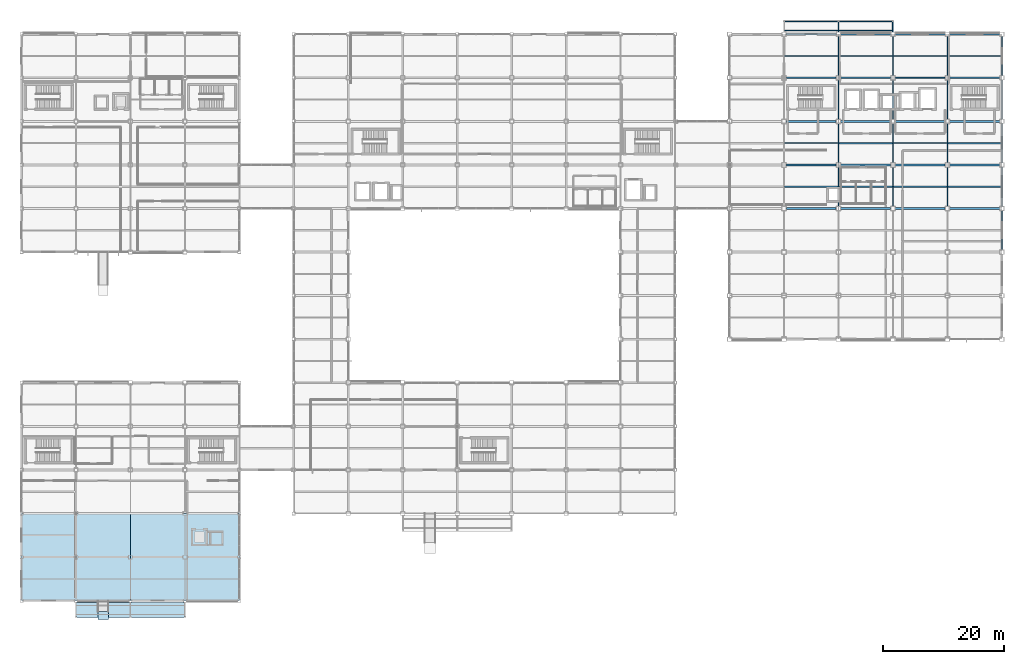
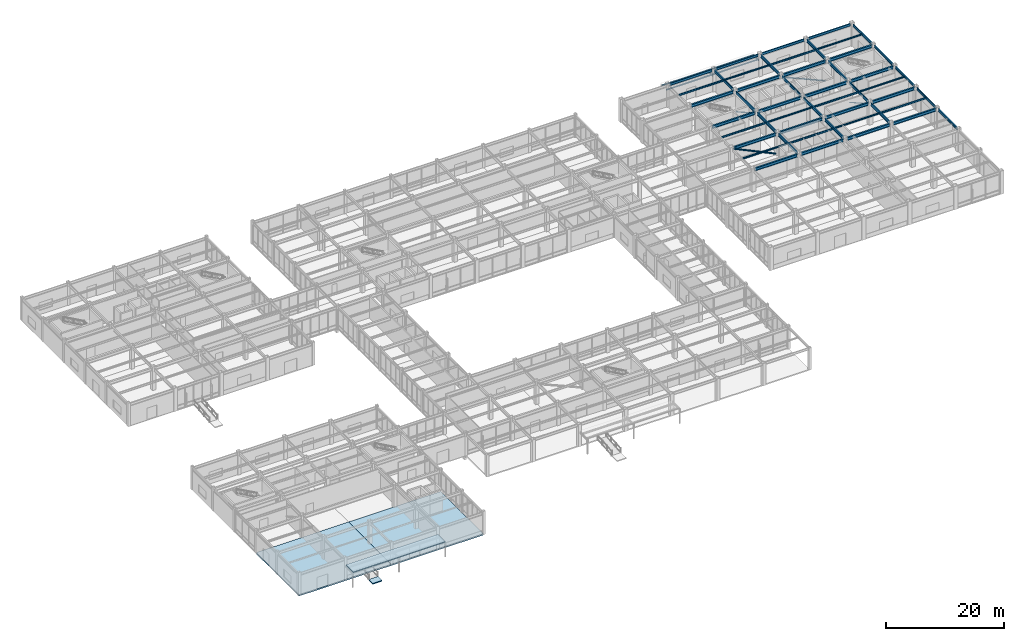
# One storey, part 78 of 112: 51 beams, 8 members, 4 slabs, 1 element without a shape of its own.
"""IFC4 building model written with IfcOpenShell, lengths in metres."""

from ifc_helpers import new_model, si_unit, direction, frame, origin, origin_2d, place, context, subcontext, project, spatial, polyline, hollow_circle, i_section, outline, extrude, material, layer, layer_set, material_profile, profile_set, type_object, element, aggregate, save


model = new_model("IFC4")

# Units and contexts
model_context = context("Model", 3, precision=1e-05, world=origin(), true_north=direction((0.0, 1.0)))
body_context = subcontext(model_context, "Body", "Model", "MODEL_VIEW")
ifc_project = project(units=[si_unit("LENGTHUNIT", "METRE"), si_unit("AREAUNIT", "SQUARE_METRE"), si_unit("VOLUMEUNIT", "CUBIC_METRE"), si_unit("PLANEANGLEUNIT", "RADIAN"), si_unit("MASSUNIT", "GRAM", prefix="KILO")], contexts=[model_context])

# Site, building, storey
site_placement = place(None, origin())
site = spatial("IfcSite", under=ifc_project, at=site_placement, CompositionType="ELEMENT")
building_placement = place(site_placement, origin())
building = spatial("IfcBuilding", under=site, at=building_placement, Name="Kazanami Central Library", CompositionType="ELEMENT")
storey_placement = place(building_placement, origin())
storey = spatial("IfcBuildingStorey", under=building, at=storey_placement, Name="L01", CompositionType="ELEMENT", Elevation=0.0)

# Beams
ifc_material_1 = material(Name="Steel SN400B (235 MPa)", Category="steel")
ifc_material_profile_1 = material_profile(ifc_material_1, i_section(OverallWidth=0.175048828125, OverallDepth=0.35009765625, WebThickness=0.007080078125, FlangeThickness=0.010986328125, at=origin_2d()), Name="H-350x175x7x11")
ifc_profile_set_1 = profile_set([ifc_material_profile_1], Name="Steel SN400B (235 MPa)")
beam_type_1 = type_object("IfcBeamType", Name="BM-B-S2", PredefinedType="JOIST", material=ifc_profile_set_1)
for number, where, z_axis, x_axis, name in (
    (1, (126.097900390625, 75.60009765625, 4.3798828125), (1.0, 0.0, 0.0), (0.0, 1.0, 0.0), "Composite Secondary Joist B-S2 L01 Bay 15/L.1"),
    (2, (126.097900390625, 90.0, 4.3798828125), (1.0, 0.0, 0.0), (0.0, 1.0, 0.0), "Composite Secondary Joist B-S2 L01 Bay 15/N.1"),
    (3, (135.097900390625, 68.39990234375, 4.3798828125), (1.0, 0.0, 0.0), (0.0, 1.0, 0.0), "Composite Secondary Joist B-S2 L01 Bay 16/K.1"),
    (4, (144.097900390625, 75.60009765625, 4.3798828125), (1.0, 0.0, 0.0), (0.0, 1.0, 0.0), "Composite Secondary Joist B-S2 L01 Bay 17/L.1"),
    (5, (144.097900390625, 90.0, 4.3798828125), (1.0, 0.0, 0.0), (0.0, 1.0, 0.0), "Composite Secondary Joist B-S2 L01 Bay 17/N.1"),
    (6, (153.097900390625, 68.39990234375, 4.3798828125), (1.0, 0.0, 0.0), (0.0, 1.0, 0.0), "Composite Secondary Joist B-S2 L01 Bay 18/K.1"),
):
    element("IfcBeam", number, at=place(storey_placement, frame(where, z_axis=z_axis, x_axis=x_axis)), inside=storey, type_object=beam_type_1, Name=name, PredefinedType="JOIST", context=body_context, shape_type="SweptSolid", body=[
        extrude(i_section(OverallWidth=0.175048828125, OverallDepth=0.35009765625, WebThickness=0.007080078125, FlangeThickness=0.010986328125, at=origin_2d()), origin(), (0.0, 0.0, 1.0), 8.80419921875),
    ])
ifc_material_profile_2 = material_profile(ifc_material_1, i_section(OverallWidth=0.199951171875, OverallDepth=0.2939453125, WebThickness=0.008056640625, FlangeThickness=0.011962890625, at=origin_2d()), Name="H-294x200x8x12")
ifc_profile_set_2 = profile_set([ifc_material_profile_2], Name="Steel SN400B (235 MPa)")
beam_type_2 = type_object("IfcBeamType", Name="BM-B-S5", PredefinedType="JOIST", material=ifc_profile_set_2)
for number, where, z_axis, x_axis, name in (
    (7, (126.097900390625, 68.39990234375, 4.407958984375), (1.0, 0.0, 0.0), (0.0, 1.0, 0.0), "Composite Secondary Joist B-S5 L01 Bay 15/K.1"),
    (8, (135.097900390625, 75.60009765625, 4.407958984375), (1.0, 0.0, 0.0), (0.0, 1.0, 0.0), "Composite Secondary Joist B-S5 L01 Bay 16/L.1"),
    (9, (135.097900390625, 90.0, 4.407958984375), (1.0, 0.0, 0.0), (0.0, 1.0, 0.0), "Composite Secondary Joist B-S5 L01 Bay 16/N.1"),
    (10, (144.097900390625, 68.39990234375, 4.407958984375), (1.0, 0.0, 0.0), (0.0, 1.0, 0.0), "Composite Secondary Joist B-S5 L01 Bay 17/K.1"),
    (11, (153.097900390625, 75.60009765625, 4.407958984375), (1.0, 0.0, 0.0), (0.0, 1.0, 0.0), "Composite Secondary Joist B-S5 L01 Bay 18/L.1"),
    (12, (153.097900390625, 90.0, 4.407958984375), (1.0, 0.0, 0.0), (0.0, 1.0, 0.0), "Composite Secondary Joist B-S5 L01 Bay 18/N.1"),
):
    element("IfcBeam", number, at=place(storey_placement, frame(where, z_axis=z_axis, x_axis=x_axis)), inside=storey, type_object=beam_type_2, Name=name, PredefinedType="JOIST", context=body_context, shape_type="SweptSolid", body=[
        extrude(i_section(OverallWidth=0.199951171875, OverallDepth=0.2939453125, WebThickness=0.008056640625, FlangeThickness=0.011962890625, at=origin_2d()), origin(), (0.0, 0.0, 1.0), 8.80419921875),
    ])
ifc_material_2 = material(Name="Steel SN490B (325 MPa)", Category="steel")
ifc_material_profile_3 = material_profile(ifc_material_2, i_section(OverallWidth=0.14990234375, OverallDepth=0.300048828125, WebThickness=0.006591796875, FlangeThickness=0.009033203125, at=origin_2d()), Name="H-300x150x6.5x9")
ifc_profile_set_3 = profile_set([ifc_material_profile_3], Name="Steel SN490B (325 MPa)")
beam_type_3 = type_object("IfcBeamType", Name="BM-CAN-300", PredefinedType="SPANDREL", material=ifc_profile_set_3)
for number, where, z_axis, x_axis, name in (
    (13, (135.0, 93.949951171875, 2.89990234375), (0.0, 1.0, 0.0), (-1.0, 0.0, 0.0), "Canopy Beam CAN-V2-NORTH X=135"),
    (14, (144.0, 93.949951171875, 2.89990234375), (0.0, 1.0, 0.0), (-1.0, 0.0, 0.0), "Canopy Beam CAN-V2-NORTH X=144"),
):
    element("IfcBeam", number, at=place(storey_placement, frame(where, z_axis=z_axis, x_axis=x_axis)), inside=storey, type_object=beam_type_3, Name=name, PredefinedType="SPANDREL", context=body_context, shape_type="SweptSolid", body=[
        extrude(i_section(OverallWidth=0.14990234375, OverallDepth=0.300048828125, WebThickness=0.006591796875, FlangeThickness=0.009033203125, at=origin_2d()), origin(), (0.0, 0.0, 1.0), 1.75),
    ])
ifc_material_profile_4 = material_profile(ifc_material_2, i_section(OverallWidth=0.300048828125, OverallDepth=0.60009765625, WebThickness=0.011962890625, FlangeThickness=0.02001953125, at=origin_2d()), Name="H-600x300x12x20")
ifc_profile_set_4 = profile_set([ifc_material_profile_4], Name="Steel SN490B (325 MPa)")
beam_type_4 = type_object("IfcBeamType", Name="BM-G-X1", PredefinedType="BEAM", material=ifc_profile_set_4)
for number, where, z_axis, x_axis, name in (
    (15, (126.373046875, 64.800048828125, 4.2548828125), (1.0, 0.0, 0.0), (0.0, 1.0, 0.0), "Girder G-X1 L01 K/15-16"),
    (16, (135.373046875, 64.800048828125, 4.2548828125), (1.0, 0.0, 0.0), (0.0, 1.0, 0.0), "Girder G-X1 L01 K/16-17"),
    (17, (144.373046875, 64.800048828125, 4.2548828125), (1.0, 0.0, 0.0), (0.0, 1.0, 0.0), "Girder G-X1 L01 K/17-18"),
):
    element("IfcBeam", number, at=place(storey_placement, frame(where, z_axis=z_axis, x_axis=x_axis)), inside=storey, type_object=beam_type_4, Name=name, PredefinedType="BEAM", context=body_context, shape_type="SweptSolid", body=[
        extrude(i_section(OverallWidth=0.300048828125, OverallDepth=0.60009765625, WebThickness=0.011962890625, FlangeThickness=0.02001953125, at=origin_2d()), origin(), (0.0, 0.0, 1.0), 8.25390625),
    ])
beam_1_placement = place(storey_placement, frame((153.373046875, 64.800048828125, 4.2548828125), z_axis=(1.0, 0.0, 0.0), x_axis=(0.0, 1.0, 0.0)))
element("IfcBeam", 18, at=beam_1_placement, inside=storey, type_object=beam_type_4, Name="Girder G-X1 L01 K/18-19", PredefinedType="BEAM", context=body_context, shape_type="SweptSolid", body=[
    extrude(i_section(OverallWidth=0.300048828125, OverallDepth=0.60009765625, WebThickness=0.011962890625, FlangeThickness=0.02001953125, at=origin_2d()), origin(), (0.0, 0.0, 1.0), 8.279052734375),
])
for number, where, z_axis, x_axis, name in (
    (19, (126.373046875, 72.0, 4.2548828125), (1.0, 0.0, 0.0), (0.0, 1.0, 0.0), "Girder G-X1 L01 L/15-16"),
    (20, (135.373046875, 72.0, 4.2548828125), (1.0, 0.0, 0.0), (0.0, 1.0, 0.0), "Girder G-X1 L01 L/16-17"),
    (21, (144.373046875, 72.0, 4.2548828125), (1.0, 0.0, 0.0), (0.0, 1.0, 0.0), "Girder G-X1 L01 L/17-18"),
):
    element("IfcBeam", number, at=place(storey_placement, frame(where, z_axis=z_axis, x_axis=x_axis)), inside=storey, type_object=beam_type_4, Name=name, PredefinedType="BEAM", context=body_context, shape_type="SweptSolid", body=[
        extrude(i_section(OverallWidth=0.300048828125, OverallDepth=0.60009765625, WebThickness=0.011962890625, FlangeThickness=0.02001953125, at=origin_2d()), origin(), (0.0, 0.0, 1.0), 8.25390625),
    ])
beam_2_placement = place(storey_placement, frame((153.373046875, 72.0, 4.2548828125), z_axis=(1.0, 0.0, 0.0), x_axis=(0.0, 1.0, 0.0)))
element("IfcBeam", 22, at=beam_2_placement, inside=storey, type_object=beam_type_4, Name="Girder G-X1 L01 L/18-19", PredefinedType="BEAM", context=body_context, shape_type="SweptSolid", body=[
    extrude(i_section(OverallWidth=0.300048828125, OverallDepth=0.60009765625, WebThickness=0.011962890625, FlangeThickness=0.02001953125, at=origin_2d()), origin(), (0.0, 0.0, 1.0), 8.279052734375),
])
for number, where, z_axis, x_axis, name in (
    (23, (126.373046875, 79.199951171875, 4.2548828125), (1.0, 0.0, 0.0), (0.0, 1.0, 0.0), "Girder G-X1 L01 M/15-16"),
    (24, (135.373046875, 79.199951171875, 4.2548828125), (1.0, 0.0, 0.0), (0.0, 1.0, 0.0), "Girder G-X1 L01 M/16-17"),
    (25, (144.373046875, 79.199951171875, 4.2548828125), (1.0, 0.0, 0.0), (0.0, 1.0, 0.0), "Girder G-X1 L01 M/17-18"),
):
    element("IfcBeam", number, at=place(storey_placement, frame(where, z_axis=z_axis, x_axis=x_axis)), inside=storey, type_object=beam_type_4, Name=name, PredefinedType="BEAM", context=body_context, shape_type="SweptSolid", body=[
        extrude(i_section(OverallWidth=0.300048828125, OverallDepth=0.60009765625, WebThickness=0.011962890625, FlangeThickness=0.02001953125, at=origin_2d()), origin(), (0.0, 0.0, 1.0), 8.25390625),
    ])
beam_3_placement = place(storey_placement, frame((153.373046875, 79.199951171875, 4.2548828125), z_axis=(1.0, 0.0, 0.0), x_axis=(0.0, 1.0, 0.0)))
element("IfcBeam", 26, at=beam_3_placement, inside=storey, type_object=beam_type_4, Name="Girder G-X1 L01 M/18-19", PredefinedType="BEAM", context=body_context, shape_type="SweptSolid", body=[
    extrude(i_section(OverallWidth=0.300048828125, OverallDepth=0.60009765625, WebThickness=0.011962890625, FlangeThickness=0.02001953125, at=origin_2d()), origin(), (0.0, 0.0, 1.0), 8.279052734375),
])
for number, where, z_axis, x_axis, name in (
    (27, (126.373046875, 86.39990234375, 4.2548828125), (1.0, 0.0, 0.0), (0.0, 1.0, 0.0), "Girder G-X1 L01 N/15-16"),
    (28, (135.373046875, 86.39990234375, 4.2548828125), (1.0, 0.0, 0.0), (0.0, 1.0, 0.0), "Girder G-X1 L01 N/16-17"),
    (29, (144.373046875, 86.39990234375, 4.2548828125), (1.0, 0.0, 0.0), (0.0, 1.0, 0.0), "Girder G-X1 L01 N/17-18"),
):
    element("IfcBeam", number, at=place(storey_placement, frame(where, z_axis=z_axis, x_axis=x_axis)), inside=storey, type_object=beam_type_4, Name=name, PredefinedType="BEAM", context=body_context, shape_type="SweptSolid", body=[
        extrude(i_section(OverallWidth=0.300048828125, OverallDepth=0.60009765625, WebThickness=0.011962890625, FlangeThickness=0.02001953125, at=origin_2d()), origin(), (0.0, 0.0, 1.0), 8.25390625),
    ])
beam_4_placement = place(storey_placement, frame((153.373046875, 86.39990234375, 4.2548828125), z_axis=(1.0, 0.0, 0.0), x_axis=(0.0, 1.0, 0.0)))
element("IfcBeam", 30, at=beam_4_placement, inside=storey, type_object=beam_type_4, Name="Girder G-X1 L01 N/18-19", PredefinedType="BEAM", context=body_context, shape_type="SweptSolid", body=[
    extrude(i_section(OverallWidth=0.300048828125, OverallDepth=0.60009765625, WebThickness=0.011962890625, FlangeThickness=0.02001953125, at=origin_2d()), origin(), (0.0, 0.0, 1.0), 8.279052734375),
])
ifc_material_profile_5 = material_profile(ifc_material_2, i_section(OverallWidth=0.199951171875, OverallDepth=0.60009765625, WebThickness=0.010986328125, FlangeThickness=0.01708984375, at=origin_2d()), Name="H-600x200x11x17")
ifc_profile_set_5 = profile_set([ifc_material_profile_5], Name="Steel SN490B (325 MPa)")
beam_type_5 = type_object("IfcBeamType", Name="BM-G-Y1", PredefinedType="BEAM", material=ifc_profile_set_5)
for number, where, z_axis, x_axis, name in (
    (31, (135.0, 65.173095703125, 4.2548828125), (0.0, 1.0, 0.0), (-1.0, 0.0, 0.0), "Girder G-Y1 L01 16/K-L"),
    (32, (135.0, 72.373046875, 4.2548828125), (0.0, 1.0, 0.0), (-1.0, 0.0, 0.0), "Girder G-Y1 L01 16/L-M"),
):
    element("IfcBeam", number, at=place(storey_placement, frame(where, z_axis=z_axis, x_axis=x_axis)), inside=storey, type_object=beam_type_5, Name=name, PredefinedType="BEAM", context=body_context, shape_type="SweptSolid", body=[
        extrude(i_section(OverallWidth=0.199951171875, OverallDepth=0.60009765625, WebThickness=0.010986328125, FlangeThickness=0.01708984375, at=origin_2d()), origin(), (0.0, 0.0, 1.0), 6.453857421875),
    ])
beam_5_placement = place(storey_placement, frame((135.0, 79.572998046875, 4.2548828125), z_axis=(0.0, 1.0, 0.0), x_axis=(-1.0, 0.0, 0.0)))
element("IfcBeam", 33, at=beam_5_placement, inside=storey, type_object=beam_type_5, Name="Girder G-Y1 L01 16/M-N", PredefinedType="BEAM", context=body_context, shape_type="SweptSolid", body=[
    extrude(i_section(OverallWidth=0.199951171875, OverallDepth=0.60009765625, WebThickness=0.010986328125, FlangeThickness=0.01708984375, at=origin_2d()), origin(), (0.0, 0.0, 1.0), 6.4541015625),
])
beam_6_placement = place(storey_placement, frame((135.0, 86.77294921875, 4.2548828125), z_axis=(0.0, 1.0, 0.0), x_axis=(-1.0, 0.0, 0.0)))
element("IfcBeam", 34, at=beam_6_placement, inside=storey, type_object=beam_type_5, Name="Girder G-Y1 L01 16/N-O", PredefinedType="BEAM", context=body_context, shape_type="SweptSolid", body=[
    extrude(i_section(OverallWidth=0.199951171875, OverallDepth=0.60009765625, WebThickness=0.010986328125, FlangeThickness=0.01708984375, at=origin_2d()), origin(), (0.0, 0.0, 1.0), 6.47900390625),
])
for number, where, z_axis, x_axis, name in (
    (35, (144.0, 65.173095703125, 4.2548828125), (0.0, 1.0, 0.0), (-1.0, 0.0, 0.0), "Girder G-Y1 L01 17/K-L"),
    (36, (144.0, 72.373046875, 4.2548828125), (0.0, 1.0, 0.0), (-1.0, 0.0, 0.0), "Girder G-Y1 L01 17/L-M"),
):
    element("IfcBeam", number, at=place(storey_placement, frame(where, z_axis=z_axis, x_axis=x_axis)), inside=storey, type_object=beam_type_5, Name=name, PredefinedType="BEAM", context=body_context, shape_type="SweptSolid", body=[
        extrude(i_section(OverallWidth=0.199951171875, OverallDepth=0.60009765625, WebThickness=0.010986328125, FlangeThickness=0.01708984375, at=origin_2d()), origin(), (0.0, 0.0, 1.0), 6.453857421875),
    ])
beam_7_placement = place(storey_placement, frame((144.0, 79.572998046875, 4.2548828125), z_axis=(0.0, 1.0, 0.0), x_axis=(-1.0, 0.0, 0.0)))
element("IfcBeam", 37, at=beam_7_placement, inside=storey, type_object=beam_type_5, Name="Girder G-Y1 L01 17/M-N", PredefinedType="BEAM", context=body_context, shape_type="SweptSolid", body=[
    extrude(i_section(OverallWidth=0.199951171875, OverallDepth=0.60009765625, WebThickness=0.010986328125, FlangeThickness=0.01708984375, at=origin_2d()), origin(), (0.0, 0.0, 1.0), 6.4541015625),
])
beam_8_placement = place(storey_placement, frame((144.0, 86.77294921875, 4.2548828125), z_axis=(0.0, 1.0, 0.0), x_axis=(-1.0, 0.0, 0.0)))
element("IfcBeam", 38, at=beam_8_placement, inside=storey, type_object=beam_type_5, Name="Girder G-Y1 L01 17/N-O", PredefinedType="BEAM", context=body_context, shape_type="SweptSolid", body=[
    extrude(i_section(OverallWidth=0.199951171875, OverallDepth=0.60009765625, WebThickness=0.010986328125, FlangeThickness=0.01708984375, at=origin_2d()), origin(), (0.0, 0.0, 1.0), 6.47900390625),
])
for number, where, z_axis, x_axis, name in (
    (39, (153.0, 65.173095703125, 4.2548828125), (0.0, 1.0, 0.0), (-1.0, 0.0, 0.0), "Girder G-Y1 L01 18/K-L"),
    (40, (153.0, 72.373046875, 4.2548828125), (0.0, 1.0, 0.0), (-1.0, 0.0, 0.0), "Girder G-Y1 L01 18/L-M"),
):
    element("IfcBeam", number, at=place(storey_placement, frame(where, z_axis=z_axis, x_axis=x_axis)), inside=storey, type_object=beam_type_5, Name=name, PredefinedType="BEAM", context=body_context, shape_type="SweptSolid", body=[
        extrude(i_section(OverallWidth=0.199951171875, OverallDepth=0.60009765625, WebThickness=0.010986328125, FlangeThickness=0.01708984375, at=origin_2d()), origin(), (0.0, 0.0, 1.0), 6.453857421875),
    ])
beam_9_placement = place(storey_placement, frame((153.0, 79.572998046875, 4.2548828125), z_axis=(0.0, 1.0, 0.0), x_axis=(-1.0, 0.0, 0.0)))
element("IfcBeam", 41, at=beam_9_placement, inside=storey, type_object=beam_type_5, Name="Girder G-Y1 L01 18/M-N", PredefinedType="BEAM", context=body_context, shape_type="SweptSolid", body=[
    extrude(i_section(OverallWidth=0.199951171875, OverallDepth=0.60009765625, WebThickness=0.010986328125, FlangeThickness=0.01708984375, at=origin_2d()), origin(), (0.0, 0.0, 1.0), 6.4541015625),
])
beam_10_placement = place(storey_placement, frame((153.0, 86.77294921875, 4.2548828125), z_axis=(0.0, 1.0, 0.0), x_axis=(-1.0, 0.0, 0.0)))
element("IfcBeam", 42, at=beam_10_placement, inside=storey, type_object=beam_type_5, Name="Girder G-Y1 L01 18/N-O", PredefinedType="BEAM", context=body_context, shape_type="SweptSolid", body=[
    extrude(i_section(OverallWidth=0.199951171875, OverallDepth=0.60009765625, WebThickness=0.010986328125, FlangeThickness=0.01708984375, at=origin_2d()), origin(), (0.0, 0.0, 1.0), 6.47900390625),
])
ifc_material_profile_6 = material_profile(ifc_material_2, i_section(OverallWidth=0.199951171875, OverallDepth=0.5, WebThickness=0.010009765625, FlangeThickness=0.01611328125, at=origin_2d()), Name="H-500x200x10x16")
ifc_profile_set_6 = profile_set([ifc_material_profile_6], Name="Steel SN490B (325 MPa)")
beam_type_6 = type_object("IfcBeamType", Name="BM-SP-1", PredefinedType="SPANDREL", material=ifc_profile_set_6)
for number, where, z_axis, x_axis, name in (
    (43, (126.347900390625, 93.60009765625, 4.304931640625), (1.0, 0.0, 0.0), (0.0, 1.0, 0.0), "Girder SP-1 L01 O/15-16"),
    (44, (135.347900390625, 93.60009765625, 4.304931640625), (1.0, 0.0, 0.0), (0.0, 1.0, 0.0), "Girder SP-1 L01 O/16-17"),
    (45, (144.347900390625, 93.60009765625, 4.304931640625), (1.0, 0.0, 0.0), (0.0, 1.0, 0.0), "Girder SP-1 L01 O/17-18"),
    (46, (153.347900390625, 93.60009765625, 4.304931640625), (1.0, 0.0, 0.0), (0.0, 1.0, 0.0), "Girder SP-1 L01 O/18-19"),
):
    element("IfcBeam", number, at=place(storey_placement, frame(where, z_axis=z_axis, x_axis=x_axis)), inside=storey, type_object=beam_type_6, Name=name, PredefinedType="SPANDREL", context=body_context, shape_type="SweptSolid", body=[
        extrude(i_section(OverallWidth=0.199951171875, OverallDepth=0.5, WebThickness=0.010009765625, FlangeThickness=0.01611328125, at=origin_2d()), origin(), (0.0, 0.0, 1.0), 8.30419921875),
    ])
beam_11_placement = place(storey_placement, frame((162.0, 57.947998046875, 4.304931640625), z_axis=(0.0, 1.0, 0.0), x_axis=(-1.0, 0.0, 0.0)))
element("IfcBeam", 47, at=beam_11_placement, inside=storey, type_object=beam_type_6, Name="Girder SP-1 L01 19/J-K", PredefinedType="SPANDREL", context=body_context, shape_type="SweptSolid", body=[
    extrude(i_section(OverallWidth=0.199951171875, OverallDepth=0.5, WebThickness=0.010009765625, FlangeThickness=0.01611328125, at=origin_2d()), origin(), (0.0, 0.0, 1.0), 6.50390625),
])
for number, where, z_axis, x_axis, name in (
    (48, (162.0, 65.14794921875, 4.304931640625), (0.0, 1.0, 0.0), (-1.0, 0.0, 0.0), "Girder SP-1 L01 19/K-L"),
    (49, (162.0, 72.347900390625, 4.304931640625), (0.0, 1.0, 0.0), (-1.0, 0.0, 0.0), "Girder SP-1 L01 19/L-M"),
):
    element("IfcBeam", number, at=place(storey_placement, frame(where, z_axis=z_axis, x_axis=x_axis)), inside=storey, type_object=beam_type_6, Name=name, PredefinedType="SPANDREL", context=body_context, shape_type="SweptSolid", body=[
        extrude(i_section(OverallWidth=0.199951171875, OverallDepth=0.5, WebThickness=0.010009765625, FlangeThickness=0.01611328125, at=origin_2d()), origin(), (0.0, 0.0, 1.0), 6.504150390625),
    ])
for number, where, z_axis, x_axis, name in (
    (50, (162.0, 79.548095703125, 4.304931640625), (0.0, 1.0, 0.0), (-1.0, 0.0, 0.0), "Girder SP-1 L01 19/M-N"),
    (51, (162.0, 86.748046875, 4.304931640625), (0.0, 1.0, 0.0), (-1.0, 0.0, 0.0), "Girder SP-1 L01 19/N-O"),
):
    element("IfcBeam", number, at=place(storey_placement, frame(where, z_axis=z_axis, x_axis=x_axis)), inside=storey, type_object=beam_type_6, Name=name, PredefinedType="SPANDREL", context=body_context, shape_type="SweptSolid", body=[
        extrude(i_section(OverallWidth=0.199951171875, OverallDepth=0.5, WebThickness=0.010009765625, FlangeThickness=0.01611328125, at=origin_2d()), origin(), (0.0, 0.0, 1.0), 6.50390625),
    ])

# Members
ifc_material_3 = material(Name="Steel STK490 (315 MPa)", Category="steel")
ifc_material_profile_7 = material_profile(ifc_material_3, hollow_circle(Radius=0.1591796875, WallThickness=0.01025390625, at=origin_2d()), Name="CHS-318.5x10.3")
ifc_profile_set_7 = profile_set([ifc_material_profile_7], Name="Steel STK490 (315 MPa)")
member_type_1 = type_object("IfcMemberType", Name="MEM-BR-02", PredefinedType="BRACE", material=ifc_profile_set_7)
member_1_placement = place(storey_placement, frame((134.625, 72.0, 0.25), z_axis=(-0.903859256575, 0.0, 0.427829924506), x_axis=(0.0, -1.0, 0.0)))
element("IfcMember", 52, at=member_1_placement, inside=storey, type_object=member_type_1, Name="Concentric Steel Brace BR-02 L01 BF-V2A", PredefinedType="BRACE", context=body_context, shape_type="SweptSolid", body=[
    extrude(hollow_circle(Radius=0.1591796875, WallThickness=0.01025390625, at=origin_2d()), origin(), (0.0, 0.0, 1.0), 9.12744140625),
])
ifc_material_profile_8 = material_profile(ifc_material_3, hollow_circle(Radius=0.1337890625, WallThickness=0.00927734375, at=origin_2d()), Name="CHS-267.4x9.3")
ifc_profile_set_8 = profile_set([ifc_material_profile_8], Name="Steel STK490 (315 MPa)")
member_type_2 = type_object("IfcMemberType", Name="MEM-BR-03", PredefinedType="BRACE", material=ifc_profile_set_8)
member_2_placement = place(storey_placement, frame((152.625, 86.39990234375, 0.25), z_axis=(-0.915519454023, 0.0, 0.402273699495), x_axis=(0.0, -1.0, 0.0)))
element("IfcMember", 53, at=member_2_placement, inside=storey, type_object=member_type_2, Name="Concentric Steel Brace BR-03 L01 BF-V2B", PredefinedType="BRACE", context=body_context, shape_type="SweptSolid", body=[
    extrude(hollow_circle(Radius=0.1337890625, WallThickness=0.00927734375, at=origin_2d()), origin(), (0.0, 0.0, 1.0), 9.01123046875),
])
ifc_material_profile_9 = material_profile(ifc_material_3, hollow_circle(Radius=0.108154296875, WallThickness=0.00830078125, at=origin_2d()), Name="CHS-216.3x8.2")
ifc_profile_set_9 = profile_set([ifc_material_profile_9], Name="Steel STK490 (315 MPa)")
member_type_3 = type_object("IfcMemberType", Name="MEM-BR-04", PredefinedType="BRACE", material=ifc_profile_set_9)
member_3_placement = place(storey_placement, frame((135.0, 86.02490234375, 0.25), z_axis=(0.0, -0.871754369243, 0.489943180079), x_axis=(1.0, 0.0, 0.0)))
element("IfcMember", 54, at=member_3_placement, inside=storey, type_object=member_type_3, Name="Concentric Steel Brace BR-04 L01 BF-V2C", PredefinedType="BRACE", context=body_context, shape_type="SweptSolid", body=[
    extrude(hollow_circle(Radius=0.108154296875, WallThickness=0.00830078125, at=origin_2d()), origin(), (0.0, 0.0, 1.0), 7.39892578125),
])
ifc_material_profile_10 = material_profile(ifc_material_3, hollow_circle(Radius=0.095458984375, WallThickness=0.007080078125, at=origin_2d()), Name="CHS-190.7x7.0")
ifc_profile_set_10 = profile_set([ifc_material_profile_10], Name="Steel STK490 (315 MPa)")
member_type_4 = type_object("IfcMemberType", Name="MEM-BR-05", PredefinedType="BRACE", material=ifc_profile_set_10)
member_4_placement = place(storey_placement, frame((153.0, 78.824951171875, 0.25), z_axis=(0.0, -0.871754369243, 0.489943180079), x_axis=(1.0, 0.0, 0.0)))
element("IfcMember", 55, at=member_4_placement, inside=storey, type_object=member_type_4, Name="Concentric Steel Brace BR-05 L01 BF-V2D", PredefinedType="BRACE", context=body_context, shape_type="SweptSolid", body=[
    extrude(hollow_circle(Radius=0.095458984375, WallThickness=0.007080078125, at=origin_2d()), origin(), (0.0, 0.0, 1.0), 7.39892578125),
])
ifc_material_profile_11 = material_profile(ifc_material_1, i_section(OverallWidth=0.10009765625, OverallDepth=0.199951171875, WebThickness=0.005615234375, FlangeThickness=0.008056640625, at=origin_2d()), Name="H-200x100x5.5x8")
ifc_profile_set_11 = profile_set([ifc_material_profile_11], Name="Steel SN400B (235 MPa)")
member_type_5 = type_object("IfcMemberType", Name="MEM-PUR-200", PredefinedType="PURLIN", material=ifc_profile_set_11)
for number, where, z_axis, x_axis, name in (
    (56, (126.074951171875, 94.18505859375, 2.949951171875), (1.0, 0.0, 0.0), (0.0, 1.0, 0.0), "Canopy Purlin CAN-V2-NORTH 1.1"),
    (57, (135.074951171875, 94.18505859375, 2.949951171875), (1.0, 0.0, 0.0), (0.0, 1.0, 0.0), "Canopy Purlin CAN-V2-NORTH 1.2"),
    (58, (126.074951171875, 95.68505859375, 2.949951171875), (1.0, 0.0, 0.0), (0.0, 1.0, 0.0), "Canopy Purlin CAN-V2-NORTH 2.1"),
    (59, (135.074951171875, 95.68505859375, 2.949951171875), (1.0, 0.0, 0.0), (0.0, 1.0, 0.0), "Canopy Purlin CAN-V2-NORTH 2.2"),
):
    element("IfcMember", number, at=place(storey_placement, frame(where, z_axis=z_axis, x_axis=x_axis)), inside=storey, type_object=member_type_5, Name=name, PredefinedType="PURLIN", context=body_context, shape_type="SweptSolid", body=[
        extrude(i_section(OverallWidth=0.10009765625, OverallDepth=0.199951171875, WebThickness=0.005615234375, FlangeThickness=0.008056640625, at=origin_2d()), origin(), (0.0, 0.0, 1.0), 8.85009765625),
    ])

# Slabs
ifc_material_4 = material(Name="Concrete Fc36 (36 MPa)", Category="concrete")
ifc_layer_1 = layer(ifc_material_4, 0.27490234375, Name="Concrete Fc36 (36 MPa)")
ifc_layer_set_1 = layer_set([ifc_layer_1], Name="Concrete Fc36 (36 MPa)")
slab_type_1 = type_object("IfcSlabType", Name="SLB-FLR-275", PredefinedType="FLOOR", material=ifc_layer_set_1)
slab_1_placement = place(storey_placement, frame((0.0, 0.0, -0.27490234375)))
element("IfcSlab", 60, at=slab_1_placement, inside=storey, type_object=slab_type_1, Name="Composite Floor Slab L01 V3-PAV Zone 1", PredefinedType="FLOOR", context=body_context, shape_type="SweptSolid", body=[
    extrude(outline(polyline([(0.0, 0.0), (18.0, 0.0), (18.0, 14.39990234375), (0.0, 14.39990234375), (0.0, 0.0)])), origin(), (0.0, 0.0, 1.0), 0.27490234375),
])
slab_2_placement = place(storey_placement, frame((0.0, 0.0, -0.27490234375)))
element("IfcSlab", 61, at=slab_2_placement, inside=storey, type_object=slab_type_1, Name="Composite Floor Slab L01 V3-PAV Zone 3", PredefinedType="FLOOR", context=body_context, shape_type="SweptSolid", body=[
    extrude(outline(polyline([(18.0, 0.0), (36.0, 0.0), (36.0, 14.39990234375), (18.0, 14.39990234375), (18.0, 0.0)])), origin(), (0.0, 0.0, 1.0), 0.27490234375),
])

# Ramp, slab
ramp_type = type_object("IfcRampType", Name="RMP-RMP-01", PredefinedType="STRAIGHT_RUN_RAMP", material=ifc_material_4)
ramp_placement = place(storey_placement, origin())
ramp = element("IfcRamp", 62, at=ramp_placement, inside=storey, type_object=ramp_type, Name="Accessible Promenade Ramp RMP-CANAL-SW", PredefinedType="STRAIGHT_RUN_RAMP")
ifc_layer_2 = layer(ifc_material_4, 0.199951171875, Name="Concrete Fc36 (36 MPa)")
ifc_layer_set_2 = layer_set([ifc_layer_2], Name="Concrete Fc36 (36 MPa)")
slab_type_2 = type_object("IfcSlabType", Name="SLB-LND-200", PredefinedType="LANDING", material=ifc_layer_set_2)
slab_3_placement = place(storey_placement, frame((0.0, 0.0, -0.35009765625)))
slab_3 = element("IfcSlab", 63, at=slab_3_placement, type_object=slab_type_2, Name="Accessible Promenade Ramp RMP-CANAL-SW landing 1", PredefinedType="LANDING", context=body_context, shape_type="SweptSolid", body=[
    extrude(outline(polyline([(12.60009765625, -3.14990234375), (14.39990234375, -3.14990234375), (14.39990234375, -1.800048828125), (12.60009765625, -1.800048828125), (12.60009765625, -3.14990234375)])), origin(), (0.0, 0.0, 1.0), 0.2001953125),
])
aggregate(ramp, [slab_3])

# Slab
ifc_layer_3 = layer(ifc_material_4, 0.175048828125, Name="Concrete Fc36 (36 MPa)")
ifc_layer_set_3 = layer_set([ifc_layer_3], Name="Concrete Fc36 (36 MPa)")
slab_type_3 = type_object("IfcSlabType", Name="SLB-ROOF-175", PredefinedType="ROOF", material=ifc_layer_set_3)
slab_4_placement = place(storey_placement, frame((0.0, 0.0, 3.050048828125)))
element("IfcSlab", 64, at=slab_4_placement, inside=storey, type_object=slab_type_3, Name="Entrance Canopy Structural Deck CAN-V3-SW", PredefinedType="ROOF", context=body_context, shape_type="SweptSolid", body=[
    extrude(outline(polyline([(9.0, -2.800048828125), (27.0, -2.800048828125), (27.0, -0.280029296875), (9.0, -0.280029296875), (9.0, -2.800048828125)])), origin(), (0.0, 0.0, 1.0), 0.175048828125),
])

save(model, "model.ifc")
